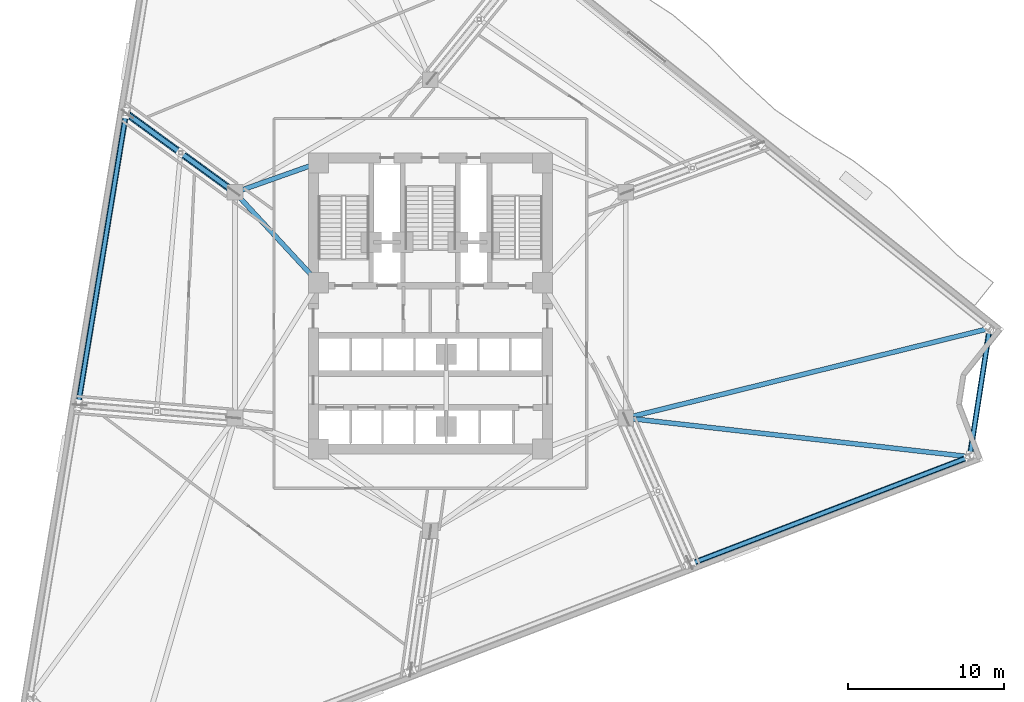
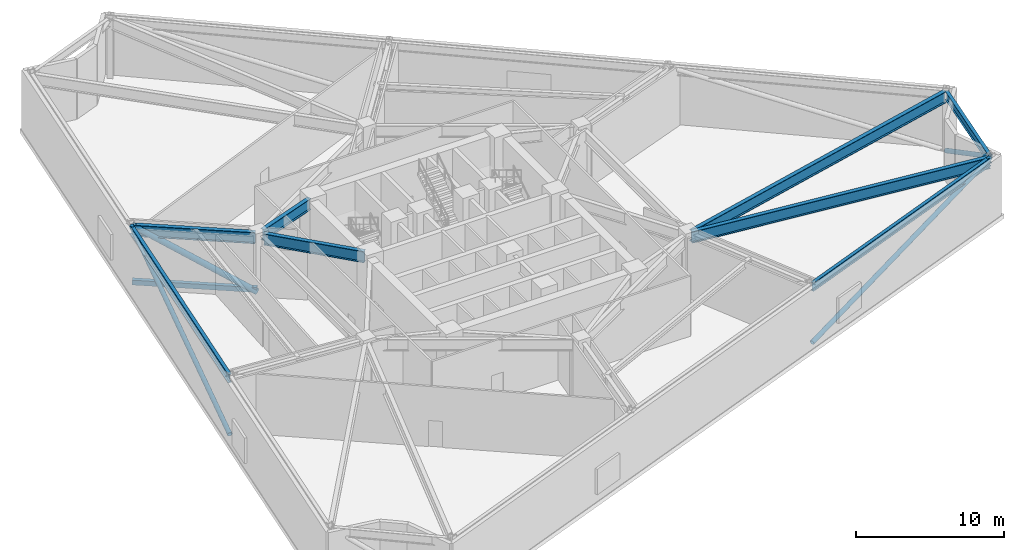
# One storey, part 5 of 18: 8 beams, 5 members.
"""IFC4 building model written with IfcOpenShell, lengths in metres."""

from ifc_helpers import new_model, si_unit, direction, frame, origin, origin_2d, place, context, subcontext, project, spatial, hollow_rectangle, hollow_circle, i_section, extrude, material, material_profile, profile_set, type_object, element, save


model = new_model("IFC4")

# Units and contexts
model_context = context("Model", 3, precision=1e-05, world=origin(), true_north=direction((0.0, 1.0)))
body_context = subcontext(model_context, "Body", "Model", "MODEL_VIEW")
ifc_project = project(units=[si_unit("LENGTHUNIT", "METRE"), si_unit("AREAUNIT", "SQUARE_METRE"), si_unit("VOLUMEUNIT", "CUBIC_METRE"), si_unit("PLANEANGLEUNIT", "RADIAN"), si_unit("MASSUNIT", "GRAM", prefix="KILO")], contexts=[model_context])

# Site, building, storey
site_placement = place(None, origin())
site = spatial("IfcSite", under=ifc_project, at=site_placement, CompositionType="ELEMENT")
building_placement = place(site_placement, origin())
building = spatial("IfcBuilding", under=site, at=building_placement, Name="Apsidion Concourse Tower", CompositionType="ELEMENT")
storey_placement = place(building_placement, frame((0.0, 0.0, 127.0)))
storey = spatial("IfcBuildingStorey", under=building, at=storey_placement, Name="L29", CompositionType="ELEMENT", Elevation=127.0)

# Beams
ifc_material_1 = material(Name="Structural steel ASTM A992 Grade 50", Category="steel")
ifc_material_profile_1 = material_profile(ifc_material_1, i_section(OverallWidth=0.31005859375, OverallDepth=0.931884765625, WebThickness=0.02099609375, FlangeThickness=0.034423828125, at=origin_2d()), Name="W36X210")
ifc_profile_set_1 = profile_set([ifc_material_profile_1], Name="Structural steel ASTM A992 Grade 50")
beam_type_1 = type_object("IfcBeamType", Name="BM-G-W36", PredefinedType="USERDEFINED", material=ifc_profile_set_1)
beam_1_placement = place(storey_placement, frame((-12.28857421875, 6.956298828125, 4.48388671875), z_axis=(0.678712876106, -0.73440372535, 0.0), x_axis=(0.73440372535, 0.678712876106, 0.0)))
element("IfcBeam", 1, at=beam_1_placement, inside=storey, type_object=beam_type_1, Name="L29 Core Coupling Girder IC5-SC6", ObjectType="GIRDER", PredefinedType="USERDEFINED", context=body_context, shape_type="SweptSolid", body=[
    extrude(i_section(OverallWidth=0.31005859375, OverallDepth=0.931884765625, WebThickness=0.02099609375, FlangeThickness=0.034423828125, at=origin_2d()), origin(), (0.0, 0.0, 1.0), 7.097412109375),
])
beam_2_placement = place(storey_placement, frame((-12.18310546875, 7.383544921875, 4.48388671875), z_axis=(0.942533844539, 0.334110688094, 0.0), x_axis=(-0.334110688094, 0.942533844539, 0.0)))
element("IfcBeam", 2, at=beam_2_placement, inside=storey, type_object=beam_type_1, Name="L29 Core Coupling Girder IC5-SC5", ObjectType="GIRDER", PredefinedType="USERDEFINED", context=body_context, shape_type="SweptSolid", body=[
    extrude(i_section(OverallWidth=0.31005859375, OverallDepth=0.931884765625, WebThickness=0.02099609375, FlangeThickness=0.034423828125, at=origin_2d()), origin(), (0.0, 0.0, 1.0), 4.886962890625),
])
beam_3_placement = place(storey_placement, frame((-12.73779296875, 7.37939453125, 4.48388671875), z_axis=(-0.80838519092, 0.588653873767, 0.0), x_axis=(-0.588653873767, -0.80838519092, 0.0)))
element("IfcBeam", 3, at=beam_3_placement, inside=storey, type_object=beam_type_1, Name="L29 Radial Floor Girder RAD-02", ObjectType="GIRDER", PredefinedType="USERDEFINED", context=body_context, shape_type="SweptSolid", body=[
    extrude(i_section(OverallWidth=0.31005859375, OverallDepth=0.931884765625, WebThickness=0.02099609375, FlangeThickness=0.034423828125, at=origin_2d()), origin(), (0.0, 0.0, 1.0), 8.337646484375),
])
beam_4_placement = place(storey_placement, frame((12.778564453125, -7.274658203125, 4.48388671875), z_axis=(0.993722887176, -0.111869671955, 0.0), x_axis=(0.111869671955, 0.993722887176, 0.0)))
element("IfcBeam", 4, at=beam_4_placement, inside=storey, type_object=beam_type_1, Name="L29 Radial Floor Girder RAD-08", ObjectType="GIRDER", PredefinedType="USERDEFINED", context=body_context, shape_type="SweptSolid", body=[
    extrude(i_section(OverallWidth=0.31005859375, OverallDepth=0.931884765625, WebThickness=0.02099609375, FlangeThickness=0.034423828125, at=origin_2d()), origin(), (0.0, 0.0, 1.0), 21.928466796875),
])
beam_5_placement = place(storey_placement, frame((12.773681640625, -7.197509765625, 4.48388671875), z_axis=(0.970978267366, 0.239167732569, 0.0), x_axis=(-0.239167732569, 0.970978267366, 0.0)))
element("IfcBeam", 5, at=beam_5_placement, inside=storey, type_object=beam_type_1, Name="L29 Radial Floor Girder RAD-09", ObjectType="GIRDER", PredefinedType="USERDEFINED", context=body_context, shape_type="SweptSolid", body=[
    extrude(i_section(OverallWidth=0.31005859375, OverallDepth=0.931884765625, WebThickness=0.02099609375, FlangeThickness=0.034423828125, at=origin_2d()), origin(), (0.0, 0.0, 1.0), 23.770263671875),
])
ifc_material_profile_2 = material_profile(ifc_material_1, i_section(OverallWidth=0.256103515625, OverallDepth=0.693115234375, WebThickness=0.014404296875, FlangeThickness=0.023681640625, at=origin_2d()), Name="W27X114")
ifc_profile_set_2 = profile_set([ifc_material_profile_2], Name="Structural steel ASTM A992 Grade 50")
beam_type_2 = type_object("IfcBeamType", Name="BM-SP-W27", PredefinedType="SPANDREL", material=ifc_profile_set_2)
beam_6_placement = place(storey_placement, frame((-19.57470703125, 12.24755859375, 4.603515625), z_axis=(-0.162110148975, -0.986772668652, 0.0), x_axis=(0.986772668652, -0.162110148975, 0.0)))
element("IfcBeam", 6, at=beam_6_placement, inside=storey, type_object=beam_type_2, Name="L29 Perimeter Spandrel Girder SP-02", PredefinedType="SPANDREL", context=body_context, shape_type="SweptSolid", body=[
    extrude(i_section(OverallWidth=0.256103515625, OverallDepth=0.693115234375, WebThickness=0.014404296875, FlangeThickness=0.023681640625, at=origin_2d()), origin(), (0.0, 0.0, 1.0), 18.8056640625),
])
beam_7_placement = place(storey_placement, frame((16.7900390625, -16.60205078125, 4.603515625), z_axis=(0.933579256938, 0.358370996335, 0.0), x_axis=(-0.358370996335, 0.933579256938, 0.0)))
element("IfcBeam", 7, at=beam_7_placement, inside=storey, type_object=beam_type_2, Name="L29 Perimeter Spandrel Girder SP-07", PredefinedType="SPANDREL", context=body_context, shape_type="SweptSolid", body=[
    extrude(i_section(OverallWidth=0.256103515625, OverallDepth=0.693115234375, WebThickness=0.014404296875, FlangeThickness=0.023681640625, at=origin_2d()), origin(), (0.0, 0.0, 1.0), 19.050537109375),
])
beam_8_placement = place(storey_placement, frame((34.68408203125, -9.64013671875, 4.603515625), z_axis=(0.153594554534, 0.988133954896, 0.0), x_axis=(-0.988133954896, 0.153594554534, 0.0)))
element("IfcBeam", 8, at=beam_8_placement, inside=storey, type_object=beam_type_2, Name="L29 Perimeter Spandrel Girder SP-08", PredefinedType="SPANDREL", context=body_context, shape_type="SweptSolid", body=[
    extrude(i_section(OverallWidth=0.256103515625, OverallDepth=0.693115234375, WebThickness=0.014404296875, FlangeThickness=0.023681640625, at=origin_2d()), origin(), (0.0, 0.0, 1.0), 8.1494140625),
])

# Members
ifc_material_2 = material(Name="Structural steel ASTM A500 Grade C", Category="steel")
ifc_material_profile_3 = material_profile(ifc_material_2, hollow_circle(Radius=0.177978515625, WallThickness=0.02001953125, at=origin_2d()), Name="CHS356X20")
ifc_profile_set_3 = profile_set([ifc_material_profile_3], Name="Structural steel ASTM A500 Grade C")
member_type_1 = type_object("IfcMemberType", Name="MB-BR-CHS356", PredefinedType="BRACE", material=ifc_profile_set_3)
member_1_placement = place(storey_placement, frame((-22.623291015625, -6.309326171875, 0.0), z_axis=(0.156973575586, 0.955506086865, 0.249734688282), x_axis=(-0.986772668652, 0.162110148975, 0.0)))
element("IfcMember", 9, at=member_1_placement, inside=storey, type_object=member_type_1, Name="L29 Perimeter Belt-Truss Diagonal BT-02", PredefinedType="BRACE", context=body_context, shape_type="SweptSolid", body=[
    extrude(hollow_circle(Radius=0.177978515625, WallThickness=0.02001953125, at=origin_2d()), origin(), (0.0, 0.0, 1.0), 19.4208984375),
])
member_2_placement = place(storey_placement, frame((16.7900390625, -16.60205078125, 0.0), z_axis=(0.904719048377, 0.347292492159, 0.246721236205), x_axis=(-0.358370996335, 0.933579256938, 0.0)))
element("IfcMember", 10, at=member_2_placement, inside=storey, type_object=member_type_1, Name="L29 Perimeter Belt-Truss Diagonal BT-07", PredefinedType="BRACE", context=body_context, shape_type="SweptSolid", body=[
    extrude(hollow_circle(Radius=0.177978515625, WallThickness=0.02001953125, at=origin_2d()), origin(), (0.0, 0.0, 1.0), 19.658203125),
])
member_3_placement = place(storey_placement, frame((35.935791015625, -1.58740234375, 0.0), z_axis=(-0.131988096627, -0.84913114475, 0.511424912734), x_axis=(0.988133954896, -0.153594554534, 0.0)))
element("IfcMember", 11, at=member_3_placement, inside=storey, type_object=member_type_1, Name="L29 Perimeter Belt-Truss Diagonal BT-08", PredefinedType="BRACE", context=body_context, shape_type="SweptSolid", body=[
    extrude(hollow_circle(Radius=0.177978515625, WallThickness=0.02001953125, at=origin_2d()), origin(), (0.0, 0.0, 1.0), 9.4833984375),
])
ifc_material_3 = material(Name="Structural steel ASTM A572 Grade 50", Category="steel")
ifc_material_profile_4 = material_profile(ifc_material_3, hollow_circle(Radius=0.228515625, WallThickness=0.02490234375, at=origin_2d()), Name="CHS457X25")
ifc_profile_set_4 = profile_set([ifc_material_profile_4], Name="Structural steel ASTM A572 Grade 50")
member_type_2 = type_object("IfcMemberType", Name="MB-BR-CHS457", PredefinedType="BRACE", material=ifc_profile_set_4)
member_4_placement = place(storey_placement, frame((-12.640869140625, 7.308837890625, 0.0), z_axis=(-0.701258991427, 0.510643956334, 0.497472186963), x_axis=(-0.588652187362, -0.808386418933, 0.0)))
element("IfcMember", 12, at=member_4_placement, inside=storey, type_object=member_type_2, Name="L29 Radial Outrigger Truss Diagonal OT-05", PredefinedType="BRACE", context=body_context, shape_type="SweptSolid", body=[
    extrude(hollow_circle(Radius=0.228515625, WallThickness=0.02490234375, at=origin_2d()), origin(), (0.0, 0.0, 1.0), 9.74951171875),
])
ifc_material_profile_5 = material_profile(ifc_material_2, hollow_rectangle(XDim=0.300048828125, YDim=0.39990234375, WallThickness=0.02001953125, at=origin_2d()), Name="HSS400X300X20")
ifc_profile_set_5 = profile_set([ifc_material_profile_5], Name="Structural steel ASTM A500 Grade C")
member_type_3 = type_object("IfcMemberType", Name="MB-CH-HSS400", PredefinedType="CHORD", material=ifc_profile_set_5)
member_5_placement = place(storey_placement, frame((-12.640869140625, 7.308837890625, 0.219970703125), z_axis=(-0.808386418933, 0.588652187362, 0.0), x_axis=(-0.588652187362, -0.808386418933, 0.0)))
element("IfcMember", 13, at=member_5_placement, inside=storey, type_object=member_type_3, Name="L29 Radial Outrigger Bottom Chord OTC-05", PredefinedType="CHORD", context=body_context, shape_type="SweptSolid", body=[
    extrude(hollow_rectangle(XDim=0.300048828125, YDim=0.39990234375, WallThickness=0.02001953125, at=origin_2d()), origin(), (0.0, 0.0, 1.0), 8.45751953125),
])

save(model, "model.ifc")
